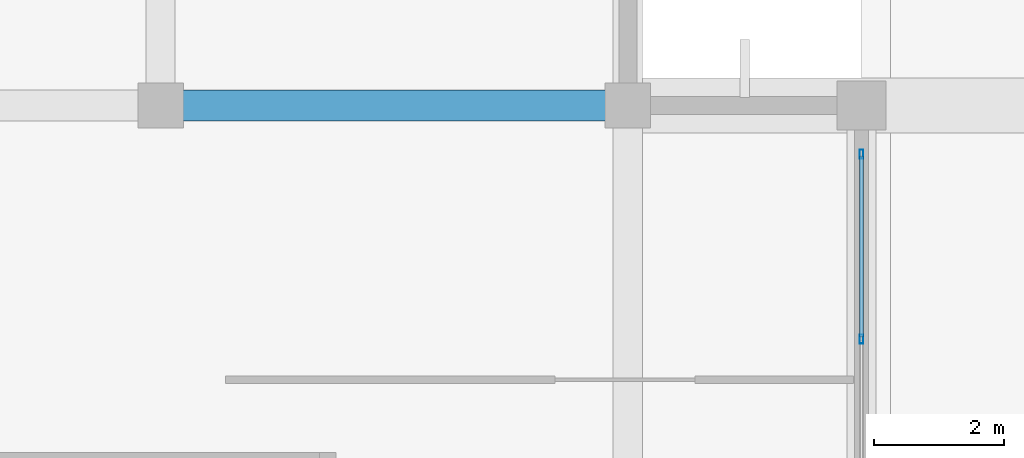
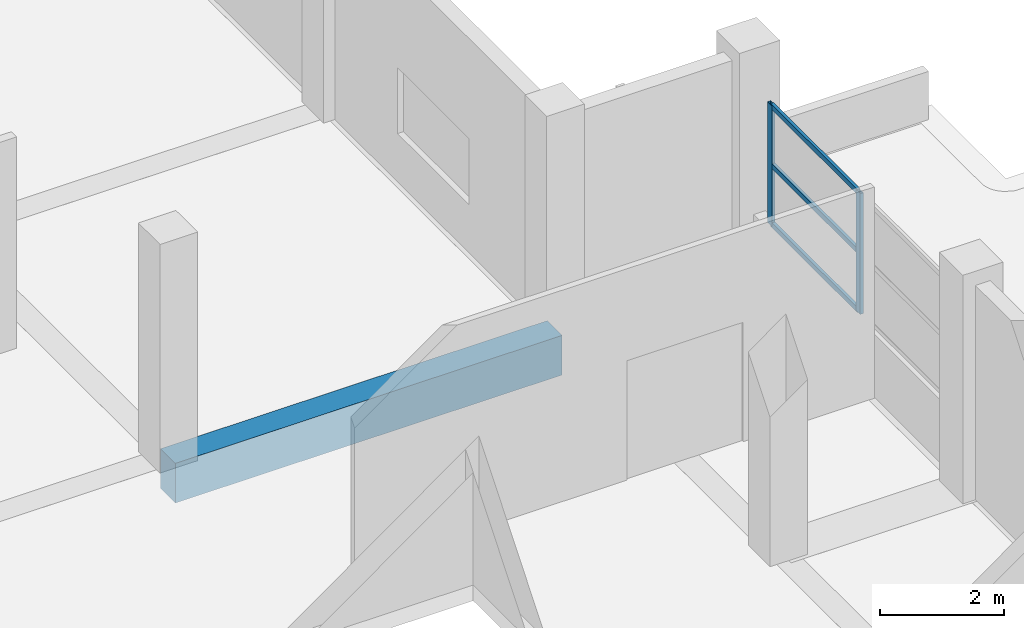
# One storey, part 6 of 24: 5 members, 1 beam, 1 element without a shape of its own.
"""IFC4 building model written with IfcOpenShell, lengths in metres."""

from ifc_helpers import new_model, si_unit, direction, frame, origin, origin_2d, place, context, subcontext, project, spatial, rectangle, hollow_rectangle, extrude, material, layer, layer_set, material_profile, profile_set, type_object, element, aggregate, save


model = new_model("IFC4")

# Units and contexts
model_context = context("Model", 3, precision=1e-05, world=origin(), true_north=direction((0.0, 1.0)))
body_context = subcontext(model_context, "Body", "Model", "MODEL_VIEW")
ifc_project = project(units=[si_unit("LENGTHUNIT", "METRE"), si_unit("AREAUNIT", "SQUARE_METRE"), si_unit("VOLUMEUNIT", "CUBIC_METRE"), si_unit("PLANEANGLEUNIT", "RADIAN"), si_unit("MASSUNIT", "GRAM", prefix="KILO")], contexts=[model_context])

# Site, building, storey
site_placement = place(None, origin())
site = spatial("IfcSite", under=ifc_project, at=site_placement, CompositionType="ELEMENT")
building_placement = place(site_placement, origin())
building = spatial("IfcBuilding", under=site, at=building_placement, Name="Seraya Terrace Polytechnic", CompositionType="ELEMENT")
storey_placement = place(building_placement, frame((0.0, 0.0, 18.89990234375)))
storey = spatial("IfcBuildingStorey", under=building, at=storey_placement, Name="L04", CompositionType="ELEMENT", Elevation=18.89990234375)

# Beam
ifc_material_1 = material(Name="Concrete C40/50", Category="concrete")
ifc_material_profile_1 = material_profile(ifc_material_1, rectangle(XDim=0.47998046875, YDim=0.780029296875, at=origin_2d()), Name="RC 480x780")
ifc_profile_set_1 = profile_set([ifc_material_profile_1], Name="Concrete C40/50")
beam_type = type_object("IfcBeamType", Name="BM-06", PredefinedType="BEAM", material=ifc_profile_set_1)
beam_placement = place(storey_placement, frame((100.800048828125, 28.800048828125, -0.389892578125), z_axis=(1.0, 0.0, 0.0), x_axis=(0.0, 1.0, 0.0)))
element("IfcBeam", 1, at=beam_placement, inside=storey, type_object=beam_type, Name="Beam BM-06 L04 X (100.8..108.0, 28.8)", PredefinedType="BEAM", context=body_context, shape_type="SweptSolid", body=[
    extrude(rectangle(XDim=0.47998046875, YDim=0.780029296875, at=origin_2d()), origin(), (0.0, 0.0, 1.0), 7.199951171875),
])

# Curtain wall, members
ifc_material_2 = material(Name="Anodised aluminium EN AW-6063 T6", Category="aluminium")
ifc_layer = layer(ifc_material_2, 0.179931640625, Name="CW-12")
ifc_layer_set = layer_set([ifc_layer], Name="Anodised aluminium EN AW-6063 T6")
curtain_wall_type = type_object("IfcCurtainWallType", Name="CW-12", PredefinedType="NOTDEFINED", material=ifc_layer_set)
curtain_wall_placement = place(storey_placement, origin())
curtain_wall = element("IfcCurtainWall", 2, at=curtain_wall_placement, inside=storey, type_object=curtain_wall_type, Name="Unitised curtain wall CW-12 (CW-L04-156)", PredefinedType="NOTDEFINED")
ifc_material_profile_2 = material_profile(ifc_material_2, hollow_rectangle(XDim=0.06005859375, YDim=0.139892578125, WallThickness=0.00341796875, at=origin_2d()), Name="RHS 140x60x3.5")
ifc_profile_set_2 = profile_set([ifc_material_profile_2], Name="Anodised aluminium EN AW-6063 T6")
member_type_1 = type_object("IfcMemberType", Name="CWM-03", PredefinedType="MULLION", material=ifc_profile_set_2)
member_1_placement = place(storey_placement, frame((111.60009765625, 28.050048828125, 1.239990234375), z_axis=(0.0, 0.0, 1.0), x_axis=(1.0, 0.0, 0.0)))
member_1 = element("IfcMember", 3, at=member_1_placement, type_object=member_type_1, Name="CW-12 mullion 1", PredefinedType="MULLION", context=body_context, shape_type="SweptSolid", body=[
    extrude(hollow_rectangle(XDim=0.06005859375, YDim=0.139892578125, WallThickness=0.00341796875, at=origin_2d()), origin(), (0.0, 0.0, 1.0), 2.380126953125),
])
member_2_placement = place(storey_placement, frame((111.60009765625, 25.199951171875, 1.239990234375), z_axis=(0.0, 0.0, 1.0), x_axis=(1.0, 0.0, 0.0)))
member_2 = element("IfcMember", 4, at=member_2_placement, type_object=member_type_1, Name="CW-12 mullion 2", PredefinedType="MULLION", context=body_context, shape_type="SweptSolid", body=[
    extrude(hollow_rectangle(XDim=0.06005859375, YDim=0.139892578125, WallThickness=0.00341796875, at=origin_2d()), origin(), (0.0, 0.0, 1.0), 2.380126953125),
])
ifc_material_profile_3 = material_profile(ifc_material_2, hollow_rectangle(XDim=0.054931640625, YDim=0.10009765625, WallThickness=0.0029296875, at=origin_2d()), Name="RHS 100x55x3.0")
ifc_profile_set_3 = profile_set([ifc_material_profile_3], Name="Anodised aluminium EN AW-6063 T6")
member_type_2 = type_object("IfcMemberType", Name="CWT-03", PredefinedType="USERDEFINED", material=ifc_profile_set_3)
member_3_placement = place(storey_placement, frame((111.60009765625, 28.02001953125, 1.267578125), z_axis=(0.0, -1.0, 0.0), x_axis=(1.0, 0.0, 0.0)))
member_3 = element("IfcMember", 5, at=member_3_placement, type_object=member_type_2, Name="CW-12 transom 1.1", ObjectType="TRANSOM", PredefinedType="USERDEFINED", context=body_context, shape_type="SweptSolid", body=[
    extrude(hollow_rectangle(XDim=0.054931640625, YDim=0.10009765625, WallThickness=0.0029296875, at=origin_2d()), origin(), (0.0, 0.0, 1.0), 2.7900390625),
])
member_4_placement = place(storey_placement, frame((111.60009765625, 28.02001953125, 2.43017578125), z_axis=(0.0, -1.0, 0.0), x_axis=(1.0, 0.0, 0.0)))
member_4 = element("IfcMember", 6, at=member_4_placement, type_object=member_type_2, Name="CW-12 transom 1.2", ObjectType="TRANSOM", PredefinedType="USERDEFINED", context=body_context, shape_type="SweptSolid", body=[
    extrude(hollow_rectangle(XDim=0.054931640625, YDim=0.10009765625, WallThickness=0.0029296875, at=origin_2d()), origin(), (0.0, 0.0, 1.0), 2.7900390625),
])
member_5_placement = place(storey_placement, frame((111.60009765625, 28.02001953125, 3.592529296875), z_axis=(0.0, -1.0, 0.0), x_axis=(1.0, 0.0, 0.0)))
member_5 = element("IfcMember", 7, at=member_5_placement, type_object=member_type_2, Name="CW-12 transom 1.3", ObjectType="TRANSOM", PredefinedType="USERDEFINED", context=body_context, shape_type="SweptSolid", body=[
    extrude(hollow_rectangle(XDim=0.054931640625, YDim=0.10009765625, WallThickness=0.0029296875, at=origin_2d()), origin(), (0.0, 0.0, 1.0), 2.7900390625),
])
aggregate(curtain_wall, [member_1, member_2, member_3, member_4, member_5])

save(model, "model.ifc")
